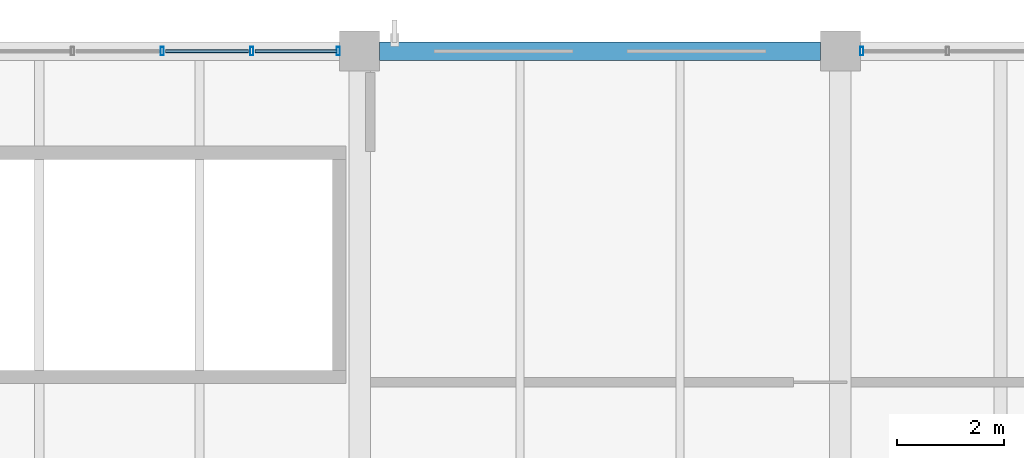
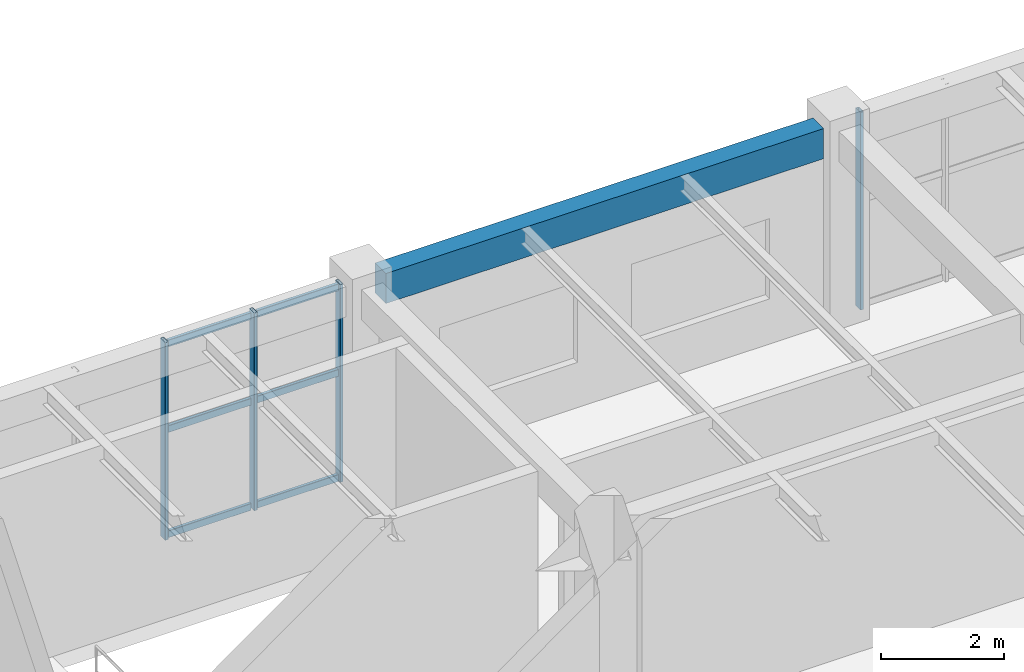
# One storey, part 75 of 148: 10 members, 1 beam, 2 elements without a shape of their own.
"""IFC4 building model written with IfcOpenShell, lengths in metres."""

from ifc_helpers import new_model, si_unit, derived_unit, direction, frame, origin, origin_2d, place, context, subcontext, project, spatial, rectangle, hollow_rectangle, extrude, material, material_profile, profile_set, type_object, element, aggregate, save


model = new_model("IFC4")

# Units and contexts
model_context = context("Model", 3, precision=1e-05, world=origin(), true_north=direction((0.0, 1.0)))
body_context = subcontext(model_context, "Body", "Model", "MODEL_VIEW")
ifc_project = project(units=[si_unit("LENGTHUNIT", "METRE"), si_unit("AREAUNIT", "SQUARE_METRE"), si_unit("VOLUMEUNIT", "CUBIC_METRE"), si_unit("PLANEANGLEUNIT", "RADIAN"), si_unit("MASSUNIT", "GRAM", prefix="KILO"), derived_unit("THERMALTRANSMITTANCEUNIT", [(si_unit("MASSUNIT", "GRAM", prefix="KILO"), 1), (si_unit("TIMEUNIT", "SECOND"), -3), (si_unit("THERMODYNAMICTEMPERATUREUNIT", "KELVIN"), -1)])], contexts=[model_context])

# Site, building, storey
site_placement = place(None, origin())
site = spatial("IfcSite", under=ifc_project, at=site_placement, CompositionType="ELEMENT")
building_placement = place(site_placement, origin())
building = spatial("IfcBuilding", under=site, at=building_placement, Name="Zhenchuan Archway Interchange", CompositionType="ELEMENT")
storey_placement = place(building_placement, frame((0.0, 0.0, 10.199951171875)))
storey = spatial("IfcBuildingStorey", under=building, at=storey_placement, Name="L02", CompositionType="ELEMENT", Elevation=10.199951171875)

# Curtain wall, members
ifc_material_1 = material(Name="Anodised Aluminium", Category="aluminium")
curtain_wall_type_1 = type_object("IfcCurtainWallType", Name="CW_UNIT_2", PredefinedType="NOTDEFINED", material=ifc_material_1)
curtain_wall_1_placement = place(storey_placement, origin())
curtain_wall_1 = element("IfcCurtainWall", 1, at=curtain_wall_1_placement, inside=storey, type_object=curtain_wall_type_1, Name="Unitised curtain wall CW:L02:141", PredefinedType="NOTDEFINED")
ifc_material_profile_1 = material_profile(ifc_material_1, hollow_rectangle(XDim=0.06005859375, YDim=0.159912109375, WallThickness=0.00390625, InnerFilletRadius=0.00390625, OuterFilletRadius=0.008056640625, at=origin_2d()), Name="ALU 160x60x4")
ifc_profile_set_1 = profile_set([ifc_material_profile_1], Name="Anodised Aluminium")
member_type_1 = type_object("IfcMemberType", Name="CW_MUL_150", PredefinedType="MULLION", material=ifc_profile_set_1)
member_1_placement = place(storey_placement, frame((32.301513671875, 112.0, 0.0), z_axis=(0.0, 0.0, 1.0), x_axis=(1.0, 0.0, 0.0)))
member_1 = element("IfcMember", 2, at=member_1_placement, type_object=member_type_1, Name="CW:L02:141 mullion 3", PredefinedType="MULLION", context=body_context, shape_type="SweptSolid", body=[
    extrude(hollow_rectangle(XDim=0.06005859375, YDim=0.159912109375, WallThickness=0.00390625, InnerFilletRadius=0.00390625, OuterFilletRadius=0.008056640625, at=origin_2d()), origin(), (0.0, 0.0, 1.0), 3.93994140625),
])
member_2_placement = place(storey_placement, frame((33.979248046875, 112.0, 0.0), z_axis=(0.0, 0.0, 1.0), x_axis=(1.0, 0.0, 0.0)))
member_2 = element("IfcMember", 3, at=member_2_placement, type_object=member_type_1, Name="CW:L02:141 mullion 4", PredefinedType="MULLION", context=body_context, shape_type="SweptSolid", body=[
    extrude(hollow_rectangle(XDim=0.06005859375, YDim=0.159912109375, WallThickness=0.00390625, InnerFilletRadius=0.00390625, OuterFilletRadius=0.008056640625, at=origin_2d()), origin(), (0.0, 0.0, 1.0), 3.93994140625),
])
member_3_placement = place(storey_placement, frame((35.596923828125, 112.0, 0.0), z_axis=(0.0, 0.0, 1.0), x_axis=(1.0, 0.0, 0.0)))
member_3 = element("IfcMember", 4, at=member_3_placement, type_object=member_type_1, Name="CW:L02:141 mullion 5", PredefinedType="MULLION", context=body_context, shape_type="SweptSolid", body=[
    extrude(hollow_rectangle(XDim=0.06005859375, YDim=0.159912109375, WallThickness=0.00390625, InnerFilletRadius=0.00390625, OuterFilletRadius=0.008056640625, at=origin_2d()), origin(), (0.0, 0.0, 1.0), 3.93994140625),
])

# Curtain wall, member
curtain_wall_type_2 = type_object("IfcCurtainWallType", Name="CW_UNIT_3", PredefinedType="NOTDEFINED", material=ifc_material_1)
curtain_wall_2_placement = place(storey_placement, origin())
curtain_wall_2 = element("IfcCurtainWall", 5, at=curtain_wall_2_placement, inside=storey, type_object=curtain_wall_type_2, Name="Unitised curtain wall CW:L02:142", PredefinedType="NOTDEFINED")
member_4_placement = place(storey_placement, frame((45.403076171875, 112.0, 0.0), z_axis=(0.0, 0.0, 1.0), x_axis=(1.0, 0.0, 0.0)))
member_4 = element("IfcMember", 6, at=member_4_placement, type_object=member_type_1, Name="CW:L02:142 mullion 0", PredefinedType="MULLION", context=body_context, shape_type="SweptSolid", body=[
    extrude(hollow_rectangle(XDim=0.06005859375, YDim=0.159912109375, WallThickness=0.00390625, InnerFilletRadius=0.00390625, OuterFilletRadius=0.008056640625, at=origin_2d()), origin(), (0.0, 0.0, 1.0), 3.93994140625),
])
aggregate(curtain_wall_2, [member_4])

# Member
ifc_material_profile_2 = material_profile(ifc_material_1, hollow_rectangle(XDim=0.06005859375, YDim=0.139892578125, WallThickness=0.00341796875, InnerFilletRadius=0.00341796875, OuterFilletRadius=0.007080078125, at=origin_2d()), Name="ALU 140x60x3.5")
ifc_profile_set_2 = profile_set([ifc_material_profile_2], Name="Anodised Aluminium")
member_type_2 = type_object("IfcMemberType", Name="CW_TRN_140", PredefinedType="USERDEFINED", material=ifc_profile_set_2)
member_5_placement = place(storey_placement, frame((32.361328125, 112.0, 0.06005859375), z_axis=(1.0, 0.0, 0.0), x_axis=(0.0, 1.0, 0.0)))
member_5 = element("IfcMember", 7, at=member_5_placement, type_object=member_type_2, Name="CW:L02:141 transom 3-1", ObjectType="TRANSOM", PredefinedType="USERDEFINED", context=body_context, shape_type="SweptSolid", body=[
    extrude(hollow_rectangle(XDim=0.06005859375, YDim=0.139892578125, WallThickness=0.00341796875, InnerFilletRadius=0.00341796875, OuterFilletRadius=0.007080078125, at=origin_2d()), origin(), (0.0, 0.0, 1.0), 1.557861328125),
])

member_6_placement = place(storey_placement, frame((32.361328125, 112.0, 2.156005859375), z_axis=(1.0, 0.0, 0.0), x_axis=(0.0, 1.0, 0.0)))
member_6 = element("IfcMember", 8, at=member_6_placement, type_object=member_type_2, Name="CW:L02:141 transom 3-2", ObjectType="TRANSOM", PredefinedType="USERDEFINED", context=body_context, shape_type="SweptSolid", body=[
    extrude(hollow_rectangle(XDim=0.06005859375, YDim=0.139892578125, WallThickness=0.00341796875, InnerFilletRadius=0.00341796875, OuterFilletRadius=0.007080078125, at=origin_2d()), origin(), (0.0, 0.0, 1.0), 1.557861328125),
])

member_7_placement = place(storey_placement, frame((32.361328125, 112.0, 3.860107421875), z_axis=(1.0, 0.0, 0.0), x_axis=(0.0, 1.0, 0.0)))
member_7 = element("IfcMember", 9, at=member_7_placement, type_object=member_type_2, Name="CW:L02:141 transom 3-3", ObjectType="TRANSOM", PredefinedType="USERDEFINED", context=body_context, shape_type="SweptSolid", body=[
    extrude(hollow_rectangle(XDim=0.06005859375, YDim=0.139892578125, WallThickness=0.00341796875, InnerFilletRadius=0.00341796875, OuterFilletRadius=0.007080078125, at=origin_2d()), origin(), (0.0, 0.0, 1.0), 1.557861328125),
])

member_8_placement = place(storey_placement, frame((34.039306640625, 112.0, 0.06005859375), z_axis=(1.0, 0.0, 0.0), x_axis=(0.0, 1.0, 0.0)))
member_8 = element("IfcMember", 10, at=member_8_placement, type_object=member_type_2, Name="CW:L02:141 transom 4-1", ObjectType="TRANSOM", PredefinedType="USERDEFINED", context=body_context, shape_type="SweptSolid", body=[
    extrude(hollow_rectangle(XDim=0.06005859375, YDim=0.139892578125, WallThickness=0.00341796875, InnerFilletRadius=0.00341796875, OuterFilletRadius=0.007080078125, at=origin_2d()), origin(), (0.0, 0.0, 1.0), 1.53759765625),
])

member_9_placement = place(storey_placement, frame((34.039306640625, 112.0, 2.156005859375), z_axis=(1.0, 0.0, 0.0), x_axis=(0.0, 1.0, 0.0)))
member_9 = element("IfcMember", 11, at=member_9_placement, type_object=member_type_2, Name="CW:L02:141 transom 4-2", ObjectType="TRANSOM", PredefinedType="USERDEFINED", context=body_context, shape_type="SweptSolid", body=[
    extrude(hollow_rectangle(XDim=0.06005859375, YDim=0.139892578125, WallThickness=0.00341796875, InnerFilletRadius=0.00341796875, OuterFilletRadius=0.007080078125, at=origin_2d()), origin(), (0.0, 0.0, 1.0), 1.53759765625),
])

member_10_placement = place(storey_placement, frame((34.039306640625, 112.0, 3.860107421875), z_axis=(1.0, 0.0, 0.0), x_axis=(0.0, 1.0, 0.0)))
member_10 = element("IfcMember", 12, at=member_10_placement, type_object=member_type_2, Name="CW:L02:141 transom 4-3", ObjectType="TRANSOM", PredefinedType="USERDEFINED", context=body_context, shape_type="SweptSolid", body=[
    extrude(hollow_rectangle(XDim=0.06005859375, YDim=0.139892578125, WallThickness=0.00341796875, InnerFilletRadius=0.00341796875, OuterFilletRadius=0.007080078125, at=origin_2d()), origin(), (0.0, 0.0, 1.0), 1.53759765625),
])

aggregate(curtain_wall_1, [member_1, member_2, member_3, member_5, member_6, member_7, member_8, member_9, member_10])

# Beam
ifc_material_2 = material(Name="Concrete C40", Category="concrete")
ifc_material_profile_3 = material_profile(ifc_material_2, rectangle(XDim=0.35009765625, YDim=0.60009765625, at=origin_2d()), Name="RC 350x600")
ifc_profile_set_3 = profile_set([ifc_material_profile_3], Name="Concrete C40")
beam_type = type_object("IfcBeamType", Name="SP_RC_350x600", PredefinedType="SPANDREL", material=ifc_profile_set_3)
beam_placement = place(storey_placement, frame((36.375, 112.0, 3.64013671875), z_axis=(1.0, 0.0, 0.0), x_axis=(0.0, 1.0, 0.0)))
element("IfcBeam", 13, at=beam_placement, inside=storey, type_object=beam_type, Name="Beam P:5-6 (L02)", PredefinedType="SPANDREL", context=body_context, shape_type="SweptSolid", body=[
    extrude(rectangle(XDim=0.35009765625, YDim=0.60009765625, at=origin_2d()), origin(), (0.0, 0.0, 1.0), 8.25),
])

save(model, "model.ifc")
